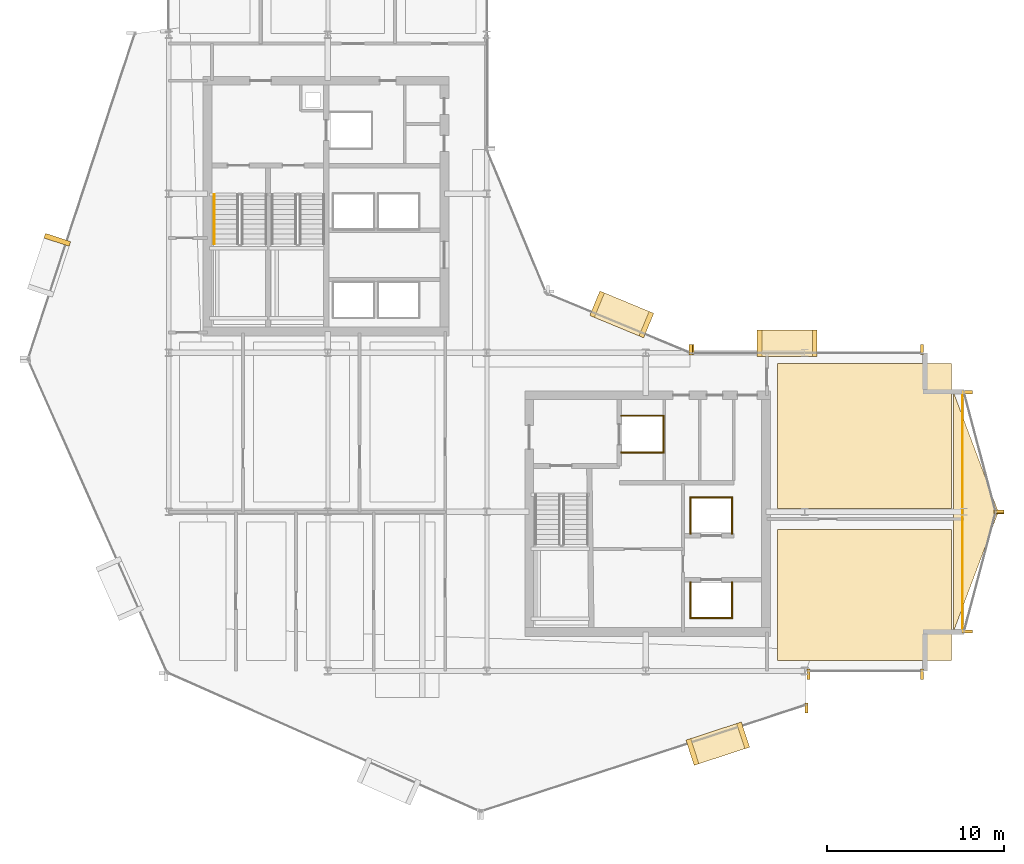
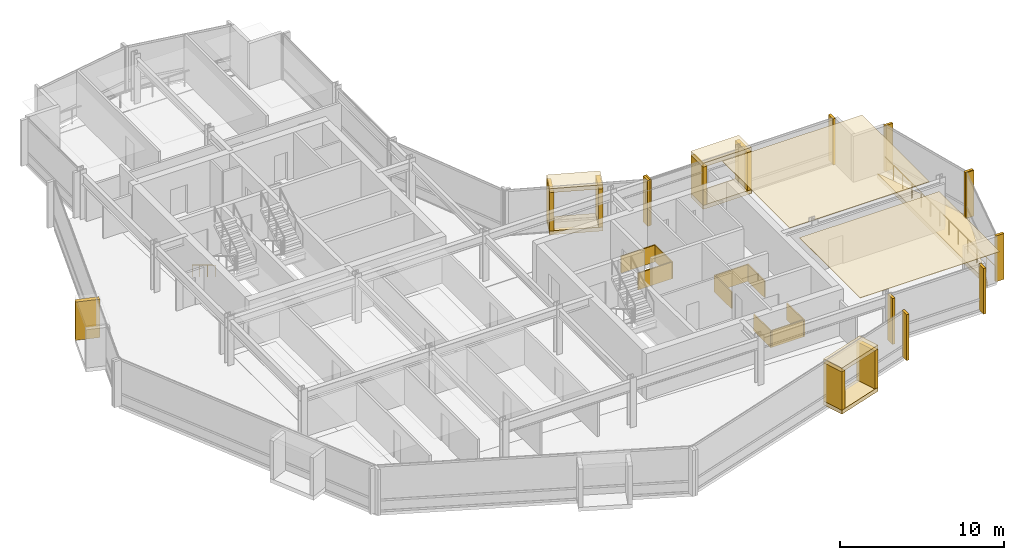
# One storey, part 27 of 28: 35 coverings, 2 railings.
"""IFC4 building model written with IfcOpenShell, lengths in metres."""

from ifc_helpers import new_model, si_unit, direction, frame, origin, origin_2d, place, context, subcontext, project, spatial, polyline, rectangle, circle, outline, extrude, material, layer, layer_set, type_object, element, save


model = new_model("IFC4")

# Units and contexts
model_context = context("Model", 3, precision=1e-05, world=origin(), true_north=direction((0.0, 1.0)))
body_context = subcontext(model_context, "Body", "Model", "MODEL_VIEW")
ifc_project = project(units=[si_unit("LENGTHUNIT", "METRE"), si_unit("AREAUNIT", "SQUARE_METRE"), si_unit("VOLUMEUNIT", "CUBIC_METRE"), si_unit("PLANEANGLEUNIT", "RADIAN"), si_unit("MASSUNIT", "GRAM", prefix="KILO")], contexts=[model_context])

# Site, building, storey
site_placement = place(None, origin())
site = spatial("IfcSite", under=ifc_project, at=site_placement, CompositionType="ELEMENT")
building_placement = place(site_placement, origin())
building = spatial("IfcBuilding", under=site, at=building_placement, Name="Solvaryn Broadcast Tower", CompositionType="ELEMENT")
storey_placement = place(building_placement, frame((0.0, 0.0, 158.10009765625)))
storey = spatial("IfcBuildingStorey", under=building, at=storey_placement, Name="L39", CompositionType="ELEMENT", Elevation=158.10009765625)

# Coverings
ifc_material_1 = material(Name="Micro-Perforated Acoustic Gypsum Ceiling", Category="concrete")
ifc_layer_1 = layer(ifc_material_1, 0.0400390625)
ifc_layer_set_1 = layer_set([ifc_layer_1], Name="CV-CEIL-ACOUSTIC")
covering_type_1 = type_object("IfcCoveringType", Name="CV-CEIL-ACOUSTIC", PredefinedType="CEILING", material=ifc_layer_set_1)
covering_1_placement = place(storey_placement, frame((0.0, 0.0, 3.3798828125)))
element("IfcCovering", 1, at=covering_1_placement, inside=storey, type_object=covering_type_1, Name="L39 Room Acoustic Ceiling 11", PredefinedType="CEILING", context=body_context, shape_type="SweptSolid", body=[
    extrude(outline(polyline([(43.449951171875, 9.60009765625), (53.300048828125, 9.60009765625), (53.300048828125, 17.0), (43.449951171875, 17.0), (43.449951171875, 9.60009765625)])), origin(), (0.0, 0.0, 1.0), 0.0400390625),
])
covering_2_placement = place(storey_placement, frame((0.0, 0.0, 3.3798828125)))
element("IfcCovering", 2, at=covering_2_placement, inside=storey, type_object=covering_type_1, Name="L39 Room Acoustic Ceiling 12", PredefinedType="CEILING", context=body_context, shape_type="SweptSolid", body=[
    extrude(outline(polyline([(43.449951171875, 18.199951171875), (53.300048828125, 18.199951171875), (53.300048828125, 26.39990234375), (43.449951171875, 26.39990234375), (43.449951171875, 18.199951171875)])), origin(), (0.0, 0.0, 1.0), 0.0400390625),
])
ifc_material_2 = material(Name="Fire-Rated Gypsum Shaftwall Liner", Category="concrete")
ifc_layer_2 = layer(ifc_material_2, 0.080078125)
ifc_layer_set_2 = layer_set([ifc_layer_2], Name="CV-SHAFT-LINER")
covering_type_2 = type_object("IfcCoveringType", Name="CV-SHAFT-LINER", PredefinedType="CLADDING", material=ifc_layer_set_2)
for number, where, z_axis, x_axis, name in (
    (3, (35.800048828125, 23.43994140625, 0.0), (0.0, 0.0, 1.0), (1.0, 0.0, 0.0), "L39 FL2 Hoistway Shaft Liner North"),
    (4, (35.800048828125, 21.360107421875, 0.0), (0.0, 0.0, 1.0), (1.0, 0.0, 0.0), "L39 FL2 Hoistway Shaft Liner South"),
):
    element("IfcCovering", number, at=place(storey_placement, frame(where, z_axis=z_axis, x_axis=x_axis)), inside=storey, type_object=covering_type_2, Name=name, PredefinedType="CLADDING", context=body_context, shape_type="SweptSolid", body=[
        extrude(rectangle(XDim=2.4599609375, YDim=0.080078125, at=origin_2d()), origin(), (0.0, 0.0, 1.0), 1.25),
    ])
covering_3_placement = place(storey_placement, frame((36.989990234375, 22.39990234375, 0.0), z_axis=(0.0, 0.0, 1.0), x_axis=(1.0, 0.0, 0.0)))
element("IfcCovering", 5, at=covering_3_placement, inside=storey, type_object=covering_type_2, Name="L39 FL2 Hoistway Shaft Liner East", PredefinedType="CLADDING", context=body_context, shape_type="SweptSolid", body=[
    extrude(rectangle(XDim=0.080078125, YDim=2.159912109375, at=origin_2d()), origin(), (0.0, 0.0, 1.0), 1.25),
])
covering_4_placement = place(storey_placement, frame((39.699951171875, 11.985107421875, 0.0), z_axis=(0.0, 0.0, 1.0), x_axis=(1.0, 0.0, 0.0)))
element("IfcCovering", 6, at=covering_4_placement, inside=storey, type_object=covering_type_2, Name="L39 PM1 Hoistway Shaft Liner South", PredefinedType="CLADDING", context=body_context, shape_type="SweptSolid", body=[
    extrude(rectangle(XDim=2.409912109375, YDim=0.080078125, at=origin_2d()), origin(), (0.0, 0.0, 1.0), 1.25),
])
for number, where, z_axis, x_axis, name in (
    (7, (40.864990234375, 13.0, 0.0), (0.0, 0.0, 1.0), (1.0, 0.0, 0.0), "L39 PM1 Hoistway Shaft Liner East"),
    (8, (38.534912109375, 13.0, 0.0), (0.0, 0.0, 1.0), (1.0, 0.0, 0.0), "L39 PM1 Hoistway Shaft Liner West"),
):
    element("IfcCovering", number, at=place(storey_placement, frame(where, z_axis=z_axis, x_axis=x_axis)), inside=storey, type_object=covering_type_2, Name=name, PredefinedType="CLADDING", context=body_context, shape_type="SweptSolid", body=[
        extrude(rectangle(XDim=0.080078125, YDim=2.110107421875, at=origin_2d()), origin(), (0.0, 0.0, 1.0), 1.25),
    ])
covering_5_placement = place(storey_placement, frame((39.699951171875, 18.81494140625, 0.0), z_axis=(0.0, 0.0, 1.0), x_axis=(1.0, 0.0, 0.0)))
element("IfcCovering", 9, at=covering_5_placement, inside=storey, type_object=covering_type_2, Name="L39 PM2 Hoistway Shaft Liner North", PredefinedType="CLADDING", context=body_context, shape_type="SweptSolid", body=[
    extrude(rectangle(XDim=2.409912109375, YDim=0.080078125, at=origin_2d()), origin(), (0.0, 0.0, 1.0), 1.25),
])
for number, where, z_axis, x_axis, name in (
    (10, (40.864990234375, 17.800048828125, 0.0), (0.0, 0.0, 1.0), (1.0, 0.0, 0.0), "L39 PM2 Hoistway Shaft Liner East"),
    (11, (38.534912109375, 17.800048828125, 0.0), (0.0, 0.0, 1.0), (1.0, 0.0, 0.0), "L39 PM2 Hoistway Shaft Liner West"),
):
    element("IfcCovering", number, at=place(storey_placement, frame(where, z_axis=z_axis, x_axis=x_axis)), inside=storey, type_object=covering_type_2, Name=name, PredefinedType="CLADDING", context=body_context, shape_type="SweptSolid", body=[
        extrude(rectangle(XDim=0.080078125, YDim=2.110107421875, at=origin_2d()), origin(), (0.0, 0.0, 1.0), 1.25),
    ])
ifc_material_3 = material(Name="Glazed Architectural Terracotta Rainscreen Cladding", Category="masonry")
ifc_layer_3 = layer(ifc_material_3, 0.280029296875)
ifc_layer_set_3 = layer_set([ifc_layer_3], Name="CV-TC-CLAD")
covering_type_3 = type_object("IfcCoveringType", Name="CV-TC-CLAD", PredefinedType="CLADDING", material=ifc_layer_set_3)
covering_6_placement = place(storey_placement, frame((2.693603515625, 33.396728515625, 0.27978515625), z_axis=(0.0, 0.0, 1.0), x_axis=(-0.311671636848, -0.950189870912, 0.0)))
element("IfcCovering", 12, at=covering_6_placement, inside=storey, type_object=covering_type_3, Name="L39 Projecting Stone Window Box Cheek 1-1", PredefinedType="CLADDING", context=body_context, shape_type="SweptSolid", body=[
    extrude(rectangle(XDim=0.280029296875, YDim=1.5, at=origin_2d()), origin(), (0.0, 0.0, 1.0), 2.860107421875),
])
for number, where, z_axis, x_axis, name in (
    (13, (40.071044921875, 4.883056640625, 3.1298828125), (0.0, 0.0, 1.0), (0.950189870912, 0.311671636848, 0.0), "L39 Projecting Stone Window Box Hood 4"),
    (14, (40.071044921875, 4.883056640625, -0.01025390625), (0.0, 0.0, 1.0), (0.950189870912, 0.311671636848, 0.0), "L39 Projecting Stone Window Box Sill 4"),
):
    element("IfcCovering", number, at=place(storey_placement, frame(where, z_axis=z_axis, x_axis=x_axis)), inside=storey, type_object=covering_type_3, Name=name, PredefinedType="CLADDING", context=body_context, shape_type="SweptSolid", body=[
        extrude(rectangle(XDim=3.300048828125, YDim=1.5, at=origin_2d()), origin(), (0.0, 0.0, 1.0), 0.300048828125),
    ])
for number, where, z_axis, x_axis, name in (
    (15, (38.63623046875, 4.412353515625, 0.27978515625), (0.0, 0.0, 1.0), (0.950189870912, 0.311671636848, 0.0), "L39 Projecting Stone Window Box Cheek 4-1"),
    (16, (41.505859375, 5.353515625, 0.27978515625), (0.0, 0.0, 1.0), (0.950189870912, 0.311671636848, 0.0), "L39 Projecting Stone Window Box Cheek 4-2"),
):
    element("IfcCovering", number, at=place(storey_placement, frame(where, z_axis=z_axis, x_axis=x_axis)), inside=storey, type_object=covering_type_3, Name=name, PredefinedType="CLADDING", context=body_context, shape_type="SweptSolid", body=[
        extrude(rectangle(XDim=0.280029296875, YDim=1.5, at=origin_2d()), origin(), (0.0, 0.0, 1.0), 2.860107421875),
    ])
for number, where, z_axis, x_axis, name in (
    (17, (34.636962890625, 29.174072265625, 3.1298828125), (0.0, 0.0, 1.0), (-0.923879532511, 0.382683432365, 0.0), "L39 Projecting Stone Window Box Hood 5"),
    (18, (34.636962890625, 29.174072265625, -0.01025390625), (0.0, 0.0, 1.0), (-0.923879532511, 0.382683432365, 0.0), "L39 Projecting Stone Window Box Sill 5"),
):
    element("IfcCovering", number, at=place(storey_placement, frame(where, z_axis=z_axis, x_axis=x_axis)), inside=storey, type_object=covering_type_3, Name=name, PredefinedType="CLADDING", context=body_context, shape_type="SweptSolid", body=[
        extrude(rectangle(XDim=3.300048828125, YDim=1.5, at=origin_2d()), origin(), (0.0, 0.0, 1.0), 0.300048828125),
    ])
for number, where, z_axis, x_axis, name in (
    (19, (36.031982421875, 28.59619140625, 0.27978515625), (0.0, 0.0, 1.0), (-0.923879532511, 0.382683432365, 0.0), "L39 Projecting Stone Window Box Cheek 5-1"),
    (20, (33.241943359375, 29.751953125, 0.27978515625), (0.0, 0.0, 1.0), (-0.923879532511, 0.382683432365, 0.0), "L39 Projecting Stone Window Box Cheek 5-2"),
):
    element("IfcCovering", number, at=place(storey_placement, frame(where, z_axis=z_axis, x_axis=x_axis)), inside=storey, type_object=covering_type_3, Name=name, PredefinedType="CLADDING", context=body_context, shape_type="SweptSolid", body=[
        extrude(rectangle(XDim=0.280029296875, YDim=1.5, at=origin_2d()), origin(), (0.0, 0.0, 1.0), 2.860107421875),
    ])
for number, where, z_axis, x_axis, name in (
    (21, (44.0, 27.530029296875, 3.1298828125), (0.0, 0.0, 1.0), (1.0, 0.0, 0.0), "L39 Projecting Stone Window Box Hood 6"),
    (22, (44.0, 27.530029296875, -0.01025390625), (0.0, 0.0, 1.0), (1.0, 0.0, 0.0), "L39 Projecting Stone Window Box Sill 6"),
):
    element("IfcCovering", number, at=place(storey_placement, frame(where, z_axis=z_axis, x_axis=x_axis)), inside=storey, type_object=covering_type_3, Name=name, PredefinedType="CLADDING", context=body_context, shape_type="SweptSolid", body=[
        extrude(rectangle(XDim=3.39990234375, YDim=1.5, at=origin_2d()), origin(), (0.0, 0.0, 1.0), 0.300048828125),
    ])
for number, where, z_axis, x_axis, name in (
    (23, (42.43994140625, 27.530029296875, 0.27978515625), (0.0, 0.0, 1.0), (1.0, 0.0, 0.0), "L39 Projecting Stone Window Box Cheek 6-1"),
    (24, (45.56005859375, 27.530029296875, 0.27978515625), (0.0, 0.0, 1.0), (1.0, 0.0, 0.0), "L39 Projecting Stone Window Box Cheek 6-2"),
):
    element("IfcCovering", number, at=place(storey_placement, frame(where, z_axis=z_axis, x_axis=x_axis)), inside=storey, type_object=covering_type_3, Name=name, PredefinedType="CLADDING", context=body_context, shape_type="SweptSolid", body=[
        extrude(rectangle(XDim=0.280029296875, YDim=1.5, at=origin_2d()), origin(), (0.0, 0.0, 1.0), 2.860107421875),
    ])
ifc_material_4 = material(Name="Extruded Architectural Terracotta Fin", Category="masonry")
ifc_layer_4 = layer(ifc_material_4, 0.179931640625)
ifc_layer_set_4 = layer_set([ifc_layer_4], Name="CV-TC-FIN")
covering_type_4 = type_object("IfcCoveringType", Name="CV-TC-FIN", PredefinedType="USERDEFINED", material=ifc_layer_set_4)
for number, where, z_axis, x_axis, name in (
    (25, (45.0947265625, 6.898681640625, 0.0), (0.0, 0.0, 1.0), (1.0, 0.0, 0.0), "L39 Terracotta Vertical Fin FIN-L39-DR4-M01"),
    (26, (38.541259765625, 27.177978515625, 0.0), (0.0, 0.0, 1.0), (1.0, 0.0, 0.0), "L39 Terracotta Vertical Fin FIN-L39-CN1-M00"),
    (27, (45.197021484375, 8.8125, 0.0), (0.0, 0.0, 1.0), (1.0, 0.0, 0.0), "L39 Terracotta Vertical Fin FIN-L39-S2-M00"),
    (28, (51.6201171875, 8.8125, 0.0), (0.0, 0.0, 1.0), (1.0, 0.0, 0.0), "L39 Terracotta Vertical Fin FIN-L39-S2-M01"),
):
    element("IfcCovering", number, at=place(storey_placement, frame(where, z_axis=z_axis, x_axis=x_axis)), inside=storey, type_object=covering_type_4, Name=name, ObjectType="FIN", PredefinedType="USERDEFINED", context=body_context, shape_type="SweptSolid", body=[
        extrude(rectangle(XDim=0.179931640625, YDim=0.580078125, at=origin_2d()), origin(), (0.0, 0.0, 1.0), 3.419921875),
    ])
for number, where, z_axis, x_axis, name in (
    (29, (54.1953125, 24.77099609375, 0.0), (0.0, 0.0, 1.0), (1.0, 0.0, 0.0), "L39 Terracotta Vertical Fin FIN-L39-ET1-M00"),
    (30, (55.979736328125, 18.029052734375, 0.0), (0.0, 0.0, 1.0), (1.0, 0.0, 0.0), "L39 Terracotta Vertical Fin FIN-L39-ET1-M01"),
    (31, (55.979736328125, 17.970947265625, 0.0), (0.0, 0.0, 1.0), (1.0, 0.0, 0.0), "L39 Terracotta Vertical Fin FIN-L39-ET2-M00"),
    (32, (54.1953125, 11.22900390625, 0.0), (0.0, 0.0, 1.0), (1.0, 0.0, 0.0), "L39 Terracotta Vertical Fin FIN-L39-ET2-M01"),
):
    element("IfcCovering", number, at=place(storey_placement, frame(where, z_axis=z_axis, x_axis=x_axis)), inside=storey, type_object=covering_type_4, Name=name, ObjectType="FIN", PredefinedType="USERDEFINED", context=body_context, shape_type="SweptSolid", body=[
        extrude(rectangle(XDim=0.580078125, YDim=0.179931640625, at=origin_2d()), origin(), (0.0, 0.0, 1.0), 3.419921875),
    ])
for number, where, z_axis, x_axis, name in (
    (33, (38.6298828125, 27.1875, 0.0), (0.0, 0.0, 1.0), (1.0, 0.0, 0.0), "L39 Terracotta Vertical Fin FIN-L39-IH-M00"),
    (34, (51.6201171875, 27.1875, 0.0), (0.0, 0.0, 1.0), (1.0, 0.0, 0.0), "L39 Terracotta Vertical Fin FIN-L39-IH-M01"),
):
    element("IfcCovering", number, at=place(storey_placement, frame(where, z_axis=z_axis, x_axis=x_axis)), inside=storey, type_object=covering_type_4, Name=name, ObjectType="FIN", PredefinedType="USERDEFINED", context=body_context, shape_type="SweptSolid", body=[
        extrude(rectangle(XDim=0.179931640625, YDim=0.580078125, at=origin_2d()), origin(), (0.0, 0.0, 1.0), 3.419921875),
    ])
ifc_material_5 = material(Name="Sculpted Architectural Terracotta Wave Fascia", Category="masonry")
ifc_layer_5 = layer(ifc_material_5, 0.340087890625)
ifc_layer_set_5 = layer_set([ifc_layer_5], Name="CV-WAVE-TRAY")
covering_type_5 = type_object("IfcCoveringType", Name="CV-WAVE-TRAY", PredefinedType="CLADDING", material=ifc_layer_set_5)
covering_7_placement = place(storey_placement, frame((0.0, 0.0, -0.300048828125)))
element("IfcCovering", 35, at=covering_7_placement, inside=storey, type_object=covering_type_5, Name="L39 East Curved Wing Deck", PredefinedType="CLADDING", context=body_context, shape_type="SweptSolid", body=[
    extrude(outline(polyline([(53.39990234375, 11.199951171875), (55.949951171875, 18.0), (53.39990234375, 24.800048828125), (53.39990234375, 11.199951171875)])), origin(), (0.0, 0.0, 1.0), 0.329833984375),
])

# Railings
ifc_material_6 = material(Name="Brushed Stainless Steel Tubular Handrail", Category="steel")
railing_type_1 = type_object("IfcRailingType", Name="RL-STAIR-HANDRAIL", PredefinedType="HANDRAIL", material=ifc_material_6)
railing_1_placement = place(storey_placement, frame((11.570068359375, 35.9599609375, 0.16796875)))
element("IfcRailing", 36, at=railing_1_placement, inside=storey, type_object=railing_type_1, Name="L39 ST1 stair handrail 1", PredefinedType="HANDRAIL", context=body_context, shape_type="SweptSolid", body=[
    extrude(circle(Radius=0.02392578125, at=origin_2d()), frame((0.0, 0.0, 0.8759765625), z_axis=(0.0, -0.857242210791, 0.514913383045), x_axis=(1.0, 0.0, 0.0)), (0.0, 0.0, 1.0), 3.266357421875),
    extrude(circle(Radius=0.02099609375, at=origin_2d()), origin(), (0.0, 0.0, 1.0), 0.851806640625),
    extrude(circle(Radius=0.02099609375, at=origin_2d()), frame((0.0, -0.933349609375, 0.560546875)), (0.0, 0.0, 1.0), 0.851806640625),
    extrude(circle(Radius=0.02099609375, at=origin_2d()), frame((0.0, -1.86669921875, 1.121337890625)), (0.0, 0.0, 1.0), 0.851806640625),
    extrude(circle(Radius=0.02099609375, at=origin_2d()), frame((0.0, -2.800048828125, 1.681884765625)), (0.0, 0.0, 1.0), 0.851806640625),
])
ifc_material_7 = material(Name="Stainless Steel and Laminated Glass Guard", Category="steel")
railing_type_2 = type_object("IfcRailingType", Name="RL-TER-1150", PredefinedType="BALUSTRADE", material=ifc_material_7)
railing_2_placement = place(storey_placement, frame((53.919921875, 11.199951171875, 0.0)))
element("IfcRailing", 37, at=railing_2_placement, inside=storey, type_object=railing_type_2, Name="L39 East Wing Spandrel Edge Guard", PredefinedType="BALUSTRADE", context=body_context, shape_type="SweptSolid", body=[
    extrude(circle(Radius=0.02392578125, at=origin_2d()), frame((0.0, 0.0, 1.1259765625), z_axis=(0.0, 1.0, 0.0), x_axis=(-1.0, 0.0, 0.0)), (0.0, 0.0, 1.0), 13.60009765625),
    extrude(circle(Radius=0.02099609375, at=origin_2d()), origin(), (0.0, 0.0, 1.0), 1.101806640625),
    extrude(circle(Radius=0.02099609375, at=origin_2d()), frame((0.0, 1.13330078125, 0.0)), (0.0, 0.0, 1.0), 1.101806640625),
    extrude(circle(Radius=0.02099609375, at=origin_2d()), frame((0.0, 2.2666015625, 0.0)), (0.0, 0.0, 1.0), 1.101806640625),
    extrude(circle(Radius=0.02099609375, at=origin_2d()), frame((0.0, 3.39990234375, 0.0)), (0.0, 0.0, 1.0), 1.101806640625),
    extrude(circle(Radius=0.02099609375, at=origin_2d()), frame((0.0, 4.533447265625, 0.0)), (0.0, 0.0, 1.0), 1.101806640625),
    extrude(circle(Radius=0.02099609375, at=origin_2d()), frame((0.0, 5.666748046875, 0.0)), (0.0, 0.0, 1.0), 1.101806640625),
    extrude(circle(Radius=0.02099609375, at=origin_2d()), frame((0.0, 6.800048828125, 0.0)), (0.0, 0.0, 1.0), 1.101806640625),
    extrude(circle(Radius=0.02099609375, at=origin_2d()), frame((0.0, 7.933349609375, 0.0)), (0.0, 0.0, 1.0), 1.101806640625),
    extrude(circle(Radius=0.02099609375, at=origin_2d()), frame((0.0, 9.066650390625, 0.0)), (0.0, 0.0, 1.0), 1.101806640625),
    extrude(circle(Radius=0.02099609375, at=origin_2d()), frame((0.0, 10.2001953125, 0.0)), (0.0, 0.0, 1.0), 1.101806640625),
    extrude(circle(Radius=0.02099609375, at=origin_2d()), frame((0.0, 11.33349609375, 0.0)), (0.0, 0.0, 1.0), 1.101806640625),
    extrude(circle(Radius=0.02099609375, at=origin_2d()), frame((0.0, 12.466796875, 0.0)), (0.0, 0.0, 1.0), 1.101806640625),
    extrude(circle(Radius=0.02099609375, at=origin_2d()), frame((0.0, 13.60009765625, 0.0)), (0.0, 0.0, 1.0), 1.101806640625),
])

save(model, "model.ifc")
